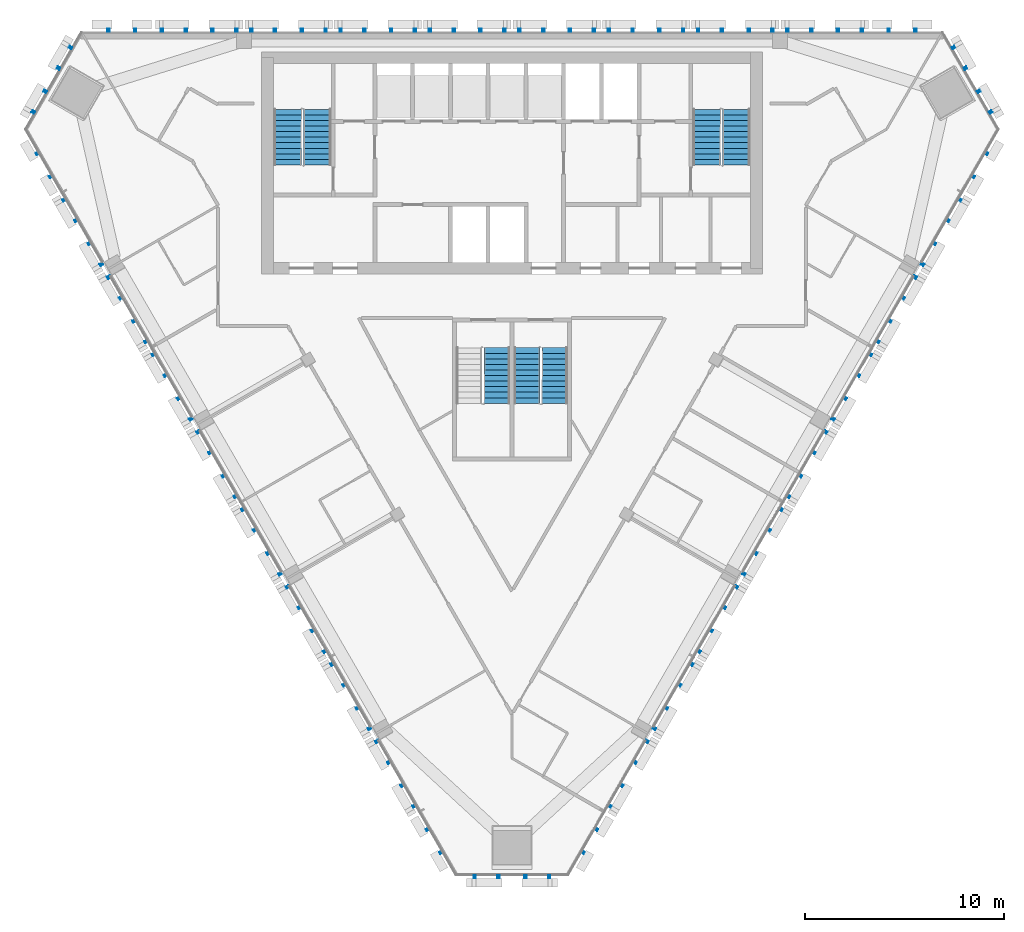
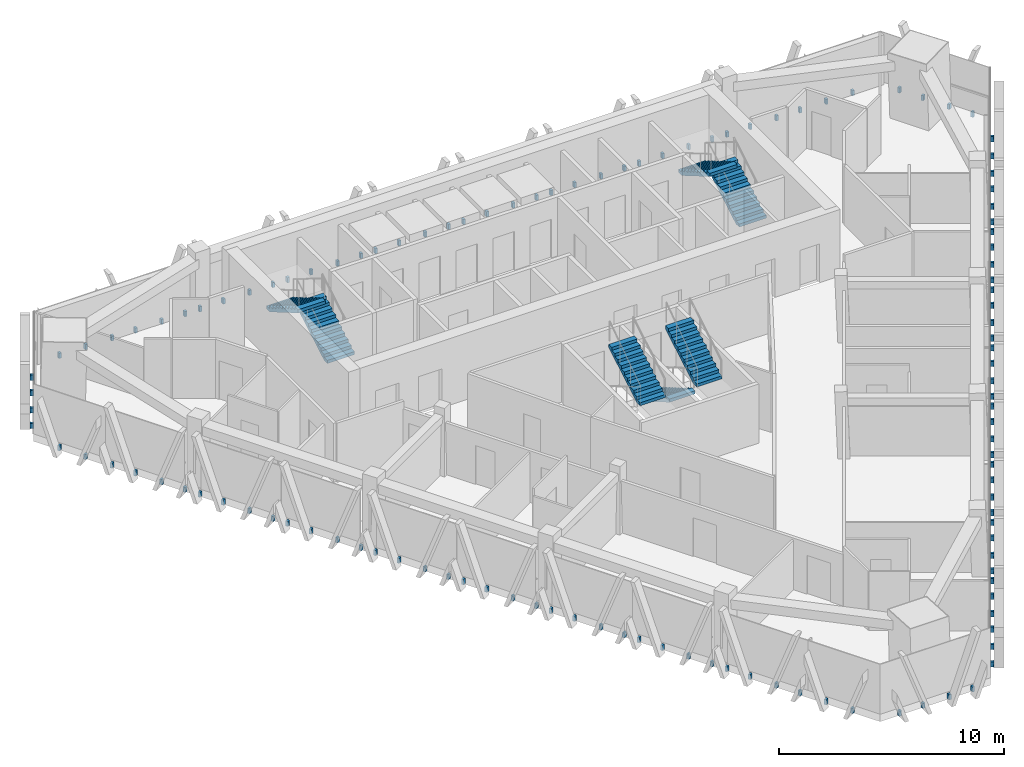
# One storey, part 11 of 14: 7 stair flights, 6 discrete accessories, 4 elements without a shape of their own.
"""IFC4 building model written with IfcOpenShell, lengths in metres."""

from ifc_helpers import new_model, si_unit, direction, frame, origin, place, context, subcontext, project, spatial, polyline, outline, extrude, source, transform, mapped, material, type_object, element, aggregate, save


model = new_model("IFC4")

# Units and contexts
model_context = context("Model", 3, precision=1e-05, world=origin(), true_north=direction((0.0, 1.0)))
body_context = subcontext(model_context, "Body", "Model", "MODEL_VIEW")
ifc_project = project(units=[si_unit("LENGTHUNIT", "METRE"), si_unit("AREAUNIT", "SQUARE_METRE"), si_unit("VOLUMEUNIT", "CUBIC_METRE"), si_unit("PLANEANGLEUNIT", "RADIAN"), si_unit("MASSUNIT", "GRAM", prefix="KILO")], contexts=[model_context])

# Site, building, storey
site_placement = place(None, origin())
site = spatial("IfcSite", under=ifc_project, at=site_placement, CompositionType="ELEMENT")
building_placement = place(site_placement, origin())
building = spatial("IfcBuilding", under=site, at=building_placement, Name="Altiplano Prism Tower", CompositionType="ELEMENT")
storey_placement = place(building_placement, frame((0.0, 0.0, 230.199951171875)))
storey = spatial("IfcBuildingStorey", under=building, at=storey_placement, Name="L59", CompositionType="ELEMENT", Elevation=230.199951171875)

# Stair, stair flights
ifc_material_1 = material(Name="Concrete C40/50", Category="concrete")
stair_type_1 = type_object("IfcStairType", Name="Exit stair 1400", PredefinedType="HALF_TURN_STAIR", material=ifc_material_1)
stair_1_placement = place(storey_placement, origin())
stair_1 = element("IfcStair", 1, at=stair_1_placement, inside=storey, type_object=stair_type_1, Name="L59 Exit Stair 1", PredefinedType="HALF_TURN_STAIR")
stair_flight_type = type_object("IfcStairFlightType", Name="Stair flight concrete 150", PredefinedType="STRAIGHT", material=ifc_material_1)
stair_flight_1_placement = place(storey_placement, frame((75.199951171875, 98.300048828125, 0.0), z_axis=(0.0, 0.0, 1.0), x_axis=(0.0, 1.0, 0.0)))
stair_flight_1 = element("IfcStairFlight", 2, at=stair_flight_1_placement, type_object=stair_flight_type, Name="ST1 flight 1", NumberOfRisers=11, NumberOfTreads=10, PredefinedType="STRAIGHT", RiserHeight=0.163636364, TreadLength=0.28, context=body_context, shape_type="SweptSolid", body=[
    extrude(outline(polyline([(0.0, 0.0), (0.0, 0.16357421875), (0.280029296875, 0.16357421875), (0.280029296875, 0.327392578125), (0.56005859375, 0.327392578125), (0.56005859375, 0.490966796875), (0.840087890625, 0.490966796875), (0.840087890625, 0.654541015625), (1.1201171875, 0.654541015625), (1.1201171875, 0.818115234375), (1.39990234375, 0.818115234375), (1.39990234375, 0.98193359375), (1.679931640625, 0.98193359375), (1.679931640625, 1.1455078125), (1.9599609375, 1.1455078125), (1.9599609375, 1.30908203125), (2.239990234375, 1.30908203125), (2.239990234375, 1.47265625), (2.52001953125, 1.47265625), (2.52001953125, 1.636474609375), (2.800048828125, 1.636474609375), (2.800048828125, 1.800048828125), (2.800048828125, 1.462646484375), (0.297119140625, 0.0), (0.0, 0.0)])), frame((0.0, 0.699951171875, 0.0), z_axis=(0.0, -1.0, 0.0), x_axis=(1.0, 0.0, 0.0)), (0.0, 0.0, 1.0), 1.39990234375),
])
stair_flight_2_placement = place(storey_placement, frame((73.699951171875, 101.10009765625, 1.800048828125), z_axis=(0.0, 0.0, 1.0), x_axis=(0.0, -1.0, 0.0)))
stair_flight_2 = element("IfcStairFlight", 3, at=stair_flight_2_placement, type_object=stair_flight_type, Name="ST1 flight 2", NumberOfRisers=11, NumberOfTreads=10, PredefinedType="STRAIGHT", RiserHeight=0.163636364, TreadLength=0.28, context=body_context, shape_type="SweptSolid", body=[
    extrude(outline(polyline([(0.0, 0.0), (0.0, 0.16357421875), (0.280029296875, 0.16357421875), (0.280029296875, 0.327392578125), (0.56005859375, 0.327392578125), (0.56005859375, 0.490966796875), (0.840087890625, 0.490966796875), (0.840087890625, 0.654541015625), (1.1201171875, 0.654541015625), (1.1201171875, 0.818115234375), (1.39990234375, 0.818115234375), (1.39990234375, 0.98193359375), (1.679931640625, 0.98193359375), (1.679931640625, 1.1455078125), (1.9599609375, 1.1455078125), (1.9599609375, 1.30908203125), (2.239990234375, 1.30908203125), (2.239990234375, 1.47265625), (2.52001953125, 1.47265625), (2.52001953125, 1.636474609375), (2.800048828125, 1.636474609375), (2.800048828125, 1.800048828125), (2.800048828125, 1.462646484375), (0.297119140625, 0.0), (0.0, 0.0)])), frame((0.0, 0.699951171875, 0.0), z_axis=(0.0, -1.0, 0.0), x_axis=(1.0, 0.0, 0.0)), (0.0, 0.0, 1.0), 1.39990234375),
])
aggregate(stair_1, [stair_flight_1, stair_flight_2])

stair_2_placement = place(storey_placement, origin())
stair_2 = element("IfcStair", 4, at=stair_2_placement, inside=storey, type_object=stair_type_1, Name="L59 Exit Stair 2", PredefinedType="HALF_TURN_STAIR")
stair_flight_3_placement = place(storey_placement, frame((96.300048828125, 98.300048828125, 0.0), z_axis=(0.0, 0.0, 1.0), x_axis=(0.0, 1.0, 0.0)))
stair_flight_3 = element("IfcStairFlight", 5, at=stair_flight_3_placement, type_object=stair_flight_type, Name="ST2 flight 1", NumberOfRisers=11, NumberOfTreads=10, PredefinedType="STRAIGHT", RiserHeight=0.163636364, TreadLength=0.28, context=body_context, shape_type="SweptSolid", body=[
    extrude(outline(polyline([(0.0, 0.0), (0.0, 0.16357421875), (0.280029296875, 0.16357421875), (0.280029296875, 0.327392578125), (0.56005859375, 0.327392578125), (0.56005859375, 0.490966796875), (0.840087890625, 0.490966796875), (0.840087890625, 0.654541015625), (1.1201171875, 0.654541015625), (1.1201171875, 0.818115234375), (1.39990234375, 0.818115234375), (1.39990234375, 0.98193359375), (1.679931640625, 0.98193359375), (1.679931640625, 1.1455078125), (1.9599609375, 1.1455078125), (1.9599609375, 1.30908203125), (2.239990234375, 1.30908203125), (2.239990234375, 1.47265625), (2.52001953125, 1.47265625), (2.52001953125, 1.636474609375), (2.800048828125, 1.636474609375), (2.800048828125, 1.800048828125), (2.800048828125, 1.462646484375), (0.297119140625, 0.0), (0.0, 0.0)])), frame((0.0, 0.699951171875, 0.0), z_axis=(0.0, -1.0, 0.0), x_axis=(1.0, 0.0, 0.0)), (0.0, 0.0, 1.0), 1.39990234375),
])
stair_flight_4_placement = place(storey_placement, frame((94.800048828125, 101.10009765625, 1.800048828125), z_axis=(0.0, 0.0, 1.0), x_axis=(0.0, -1.0, 0.0)))
stair_flight_4 = element("IfcStairFlight", 6, at=stair_flight_4_placement, type_object=stair_flight_type, Name="ST2 flight 2", NumberOfRisers=11, NumberOfTreads=10, PredefinedType="STRAIGHT", RiserHeight=0.163636364, TreadLength=0.28, context=body_context, shape_type="SweptSolid", body=[
    extrude(outline(polyline([(0.0, 0.0), (0.0, 0.16357421875), (0.280029296875, 0.16357421875), (0.280029296875, 0.327392578125), (0.56005859375, 0.327392578125), (0.56005859375, 0.490966796875), (0.840087890625, 0.490966796875), (0.840087890625, 0.654541015625), (1.1201171875, 0.654541015625), (1.1201171875, 0.818115234375), (1.39990234375, 0.818115234375), (1.39990234375, 0.98193359375), (1.679931640625, 0.98193359375), (1.679931640625, 1.1455078125), (1.9599609375, 1.1455078125), (1.9599609375, 1.30908203125), (2.239990234375, 1.30908203125), (2.239990234375, 1.47265625), (2.52001953125, 1.47265625), (2.52001953125, 1.636474609375), (2.800048828125, 1.636474609375), (2.800048828125, 1.800048828125), (2.800048828125, 1.462646484375), (0.297119140625, 0.0), (0.0, 0.0)])), frame((0.0, 0.699951171875, 0.0), z_axis=(0.0, -1.0, 0.0), x_axis=(1.0, 0.0, 0.0)), (0.0, 0.0, 1.0), 1.39990234375),
])
aggregate(stair_2, [stair_flight_3, stair_flight_4])

# Stair, stair flight
stair_type_2 = type_object("IfcStairType", Name="Exit stair 1300", PredefinedType="HALF_TURN_STAIR", material=ifc_material_1)
stair_3_placement = place(storey_placement, origin())
stair_3 = element("IfcStair", 7, at=stair_3_placement, inside=storey, type_object=stair_type_2, Name="L59 Exit Stair 3A", PredefinedType="HALF_TURN_STAIR")
stair_flight_5_placement = place(storey_placement, frame((84.25, 86.300048828125, 1.800048828125), z_axis=(0.0, 0.0, 1.0), x_axis=(0.0, 1.0, 0.0)))
stair_flight_5 = element("IfcStairFlight", 8, at=stair_flight_5_placement, type_object=stair_flight_type, Name="ST3A flight 2", NumberOfRisers=11, NumberOfTreads=10, PredefinedType="STRAIGHT", RiserHeight=0.163636364, TreadLength=0.28, context=body_context, shape_type="SweptSolid", body=[
    extrude(outline(polyline([(0.0, 0.0), (0.0, 0.16357421875), (0.280029296875, 0.16357421875), (0.280029296875, 0.327392578125), (0.56005859375, 0.327392578125), (0.56005859375, 0.490966796875), (0.840087890625, 0.490966796875), (0.840087890625, 0.654541015625), (1.1201171875, 0.654541015625), (1.1201171875, 0.818115234375), (1.39990234375, 0.818115234375), (1.39990234375, 0.98193359375), (1.679931640625, 0.98193359375), (1.679931640625, 1.1455078125), (1.9599609375, 1.1455078125), (1.9599609375, 1.30908203125), (2.239990234375, 1.30908203125), (2.239990234375, 1.47265625), (2.52001953125, 1.47265625), (2.52001953125, 1.636474609375), (2.800048828125, 1.636474609375), (2.800048828125, 1.800048828125), (2.800048828125, 1.462646484375), (0.297119140625, 0.0), (0.0, 0.0)])), frame((0.0, 0.64990234375, 0.0), z_axis=(0.0, -1.0, 0.0), x_axis=(1.0, 0.0, 0.0)), (0.0, 0.0, 1.0), 1.300048828125),
])
aggregate(stair_3, [stair_flight_5])

# Stair, stair flights
stair_4_placement = place(storey_placement, origin())
stair_4 = element("IfcStair", 9, at=stair_4_placement, inside=storey, type_object=stair_type_2, Name="L59 Exit Stair 3B", PredefinedType="HALF_TURN_STAIR")
stair_flight_6_placement = place(storey_placement, frame((85.75, 89.10009765625, 0.0), z_axis=(0.0, 0.0, 1.0), x_axis=(0.0, -1.0, 0.0)))
stair_flight_6 = element("IfcStairFlight", 10, at=stair_flight_6_placement, type_object=stair_flight_type, Name="ST3B flight 1", NumberOfRisers=11, NumberOfTreads=10, PredefinedType="STRAIGHT", RiserHeight=0.163636364, TreadLength=0.28, context=body_context, shape_type="SweptSolid", body=[
    extrude(outline(polyline([(0.0, 0.0), (0.0, 0.16357421875), (0.280029296875, 0.16357421875), (0.280029296875, 0.327392578125), (0.56005859375, 0.327392578125), (0.56005859375, 0.490966796875), (0.840087890625, 0.490966796875), (0.840087890625, 0.654541015625), (1.1201171875, 0.654541015625), (1.1201171875, 0.818115234375), (1.39990234375, 0.818115234375), (1.39990234375, 0.98193359375), (1.679931640625, 0.98193359375), (1.679931640625, 1.1455078125), (1.9599609375, 1.1455078125), (1.9599609375, 1.30908203125), (2.239990234375, 1.30908203125), (2.239990234375, 1.47265625), (2.52001953125, 1.47265625), (2.52001953125, 1.636474609375), (2.800048828125, 1.636474609375), (2.800048828125, 1.800048828125), (2.800048828125, 1.462646484375), (0.297119140625, 0.0), (0.0, 0.0)])), frame((0.0, 0.64990234375, 0.0), z_axis=(0.0, -1.0, 0.0), x_axis=(1.0, 0.0, 0.0)), (0.0, 0.0, 1.0), 1.300048828125),
])
stair_flight_7_placement = place(storey_placement, frame((87.14990234375, 86.300048828125, 1.800048828125), z_axis=(0.0, 0.0, 1.0), x_axis=(0.0, 1.0, 0.0)))
stair_flight_7 = element("IfcStairFlight", 11, at=stair_flight_7_placement, type_object=stair_flight_type, Name="ST3B flight 2", NumberOfRisers=11, NumberOfTreads=10, PredefinedType="STRAIGHT", RiserHeight=0.163636364, TreadLength=0.28, context=body_context, shape_type="SweptSolid", body=[
    extrude(outline(polyline([(0.0, 0.0), (0.0, 0.16357421875), (0.280029296875, 0.16357421875), (0.280029296875, 0.327392578125), (0.56005859375, 0.327392578125), (0.56005859375, 0.490966796875), (0.840087890625, 0.490966796875), (0.840087890625, 0.654541015625), (1.1201171875, 0.654541015625), (1.1201171875, 0.818115234375), (1.39990234375, 0.818115234375), (1.39990234375, 0.98193359375), (1.679931640625, 0.98193359375), (1.679931640625, 1.1455078125), (1.9599609375, 1.1455078125), (1.9599609375, 1.30908203125), (2.239990234375, 1.30908203125), (2.239990234375, 1.47265625), (2.52001953125, 1.47265625), (2.52001953125, 1.636474609375), (2.800048828125, 1.636474609375), (2.800048828125, 1.800048828125), (2.800048828125, 1.462646484375), (0.297119140625, 0.0), (0.0, 0.0)])), frame((0.0, 0.64990234375, 0.0), z_axis=(0.0, -1.0, 0.0), x_axis=(1.0, 0.0, 0.0)), (0.0, 0.0, 1.0), 1.300048828125),
])
aggregate(stair_4, [stair_flight_6, stair_flight_7])

# Discrete accessories
ifc_material_2 = material(Name="Stainless steel", Category="steel")
discrete_accessory_type = type_object("IfcDiscreteAccessoryType", Name="Stone fin fixing prongs", PredefinedType="USERDEFINED", material=ifc_material_2)
shared_shape_1 = source(origin(), body_context, "Body", "SweptSolid", [
    extrude(outline(polyline([(-0.73291015625, 0.06005859375), (-0.61279296875, 0.06005859375), (-0.61279296875, 0.340087890625), (-0.73291015625, 0.340087890625), (-0.73291015625, 0.06005859375)])), frame((0.0, 0.0, 0.0), z_axis=(0.0, -1.0, 0.0), x_axis=(1.0, 0.0, 0.0)), (0.0, 0.0, 1.0), 0.14990234375),
    extrude(outline(polyline([(0.61279296875, 0.06005859375), (0.73291015625, 0.06005859375), (0.73291015625, 0.340087890625), (0.61279296875, 0.340087890625), (0.61279296875, 0.06005859375)])), frame((0.0, 0.0, 0.0), z_axis=(0.0, -1.0, 0.0), x_axis=(1.0, 0.0, 0.0)), (0.0, 0.0, 1.0), 0.14990234375),
])
shared_shape_2 = source(origin(), body_context, "Body", "SweptSolid", [
    extrude(outline(polyline([(-1.932861328125, 0.06005859375), (-1.812744140625, 0.06005859375), (-1.812744140625, 0.340087890625), (-1.932861328125, 0.340087890625), (-1.932861328125, 0.06005859375)])), frame((0.0, 0.0, 0.0), z_axis=(0.0, -1.0, 0.0), x_axis=(1.0, 0.0, 0.0)), (0.0, 0.0, 1.0), 0.14990234375),
    extrude(outline(polyline([(-0.73291015625, 0.06005859375), (-0.61279296875, 0.06005859375), (-0.61279296875, 0.340087890625), (-0.73291015625, 0.340087890625), (-0.73291015625, 0.06005859375)])), frame((0.0, 0.0, 0.0), z_axis=(0.0, -1.0, 0.0), x_axis=(1.0, 0.0, 0.0)), (0.0, 0.0, 1.0), 0.14990234375),
    extrude(outline(polyline([(0.61279296875, 0.06005859375), (0.73291015625, 0.06005859375), (0.73291015625, 0.340087890625), (0.61279296875, 0.340087890625), (0.61279296875, 0.06005859375)])), frame((0.0, 0.0, 0.0), z_axis=(0.0, -1.0, 0.0), x_axis=(1.0, 0.0, 0.0)), (0.0, 0.0, 1.0), 0.14990234375),
    extrude(outline(polyline([(1.812744140625, 0.06005859375), (1.932861328125, 0.06005859375), (1.932861328125, 0.340087890625), (1.812744140625, 0.340087890625), (1.812744140625, 0.06005859375)])), frame((0.0, 0.0, 0.0), z_axis=(0.0, -1.0, 0.0), x_axis=(1.0, 0.0, 0.0)), (0.0, 0.0, 1.0), 0.14990234375),
])
discrete_accessory_1_placement = place(storey_placement, origin())
element("IfcDiscreteAccessory", 12, at=discrete_accessory_1_placement, inside=storey, type_object=discrete_accessory_type, Name="Fin fixings L59 north face", ObjectType="BRACKET", PredefinedType="USERDEFINED", context=body_context, shape_type="MappedRepresentation", body=[
    mapped(shared_shape_1, transform((104.643798828125, 105.0, -0.39990234375), x_axis=(-1.0, 0.0, 0.0), y_axis=(0.0, -1.0, 0.0), z_axis=(0.0, 0.0, 1.0))),
    mapped(shared_shape_2, transform((100.75, 105.0, -0.39990234375), x_axis=(-1.0, 0.0, 0.0), y_axis=(0.0, -1.0, 0.0), z_axis=(0.0, 0.0, 1.0))),
    mapped(shared_shape_2, transform((96.25, 105.0, -0.39990234375), x_axis=(-1.0, 0.0, 0.0), y_axis=(0.0, -1.0, 0.0), z_axis=(0.0, 0.0, 1.0))),
    mapped(shared_shape_2, transform((91.75, 105.0, -0.39990234375), x_axis=(-1.0, 0.0, 0.0), y_axis=(0.0, -1.0, 0.0), z_axis=(0.0, 0.0, 1.0))),
    mapped(shared_shape_2, transform((87.25, 105.0, -0.39990234375), x_axis=(-1.0, 0.0, 0.0), y_axis=(0.0, -1.0, 0.0), z_axis=(0.0, 0.0, 1.0))),
    mapped(shared_shape_2, transform((82.75, 105.0, -0.39990234375), x_axis=(-1.0, 0.0, 0.0), y_axis=(0.0, -1.0, 0.0), z_axis=(0.0, 0.0, 1.0))),
    mapped(shared_shape_2, transform((78.25, 105.0, -0.39990234375), x_axis=(-1.0, 0.0, 0.0), y_axis=(0.0, -1.0, 0.0), z_axis=(0.0, 0.0, 1.0))),
    mapped(shared_shape_2, transform((73.75, 105.0, -0.39990234375), x_axis=(-1.0, 0.0, 0.0), y_axis=(0.0, -1.0, 0.0), z_axis=(0.0, 0.0, 1.0))),
    mapped(shared_shape_2, transform((69.25, 105.0, -0.39990234375), x_axis=(-1.0, 0.0, 0.0), y_axis=(0.0, -1.0, 0.0), z_axis=(0.0, 0.0, 1.0))),
    mapped(shared_shape_1, transform((65.356201171875, 105.0, -0.39990234375), x_axis=(-1.0, 0.0, 0.0), y_axis=(0.0, -1.0, 0.0), z_axis=(0.0, 0.0, 1.0))),
])
discrete_accessory_2_placement = place(storey_placement, origin())
element("IfcDiscreteAccessory", 13, at=discrete_accessory_2_placement, inside=storey, type_object=discrete_accessory_type, Name="Fin fixings L59 south-west face", ObjectType="BRACKET", PredefinedType="USERDEFINED", context=body_context, shape_type="MappedRepresentation", body=[
    mapped(shared_shape_1, transform((61.506591796875, 98.332275390625, -0.39990234375), x_axis=(0.500000005706, -0.86602540049, 0.0), y_axis=(0.86602540049, 0.500000005706, 0.0), z_axis=(0.0, 0.0, 1.0))),
    mapped(shared_shape_2, transform((63.453369140625, 94.9599609375, -0.39990234375), x_axis=(0.500000005706, -0.86602540049, 0.0), y_axis=(0.86602540049, 0.500000005706, 0.0), z_axis=(0.0, 0.0, 1.0))),
    mapped(shared_shape_2, transform((65.703369140625, 91.06298828125, -0.39990234375), x_axis=(0.500000005706, -0.86602540049, 0.0), y_axis=(0.86602540049, 0.500000005706, 0.0), z_axis=(0.0, 0.0, 1.0))),
    mapped(shared_shape_2, transform((67.953369140625, 87.165771484375, -0.39990234375), x_axis=(0.500000005706, -0.86602540049, 0.0), y_axis=(0.86602540049, 0.500000005706, 0.0), z_axis=(0.0, 0.0, 1.0))),
    mapped(shared_shape_2, transform((70.203369140625, 83.268798828125, -0.39990234375), x_axis=(0.500000005706, -0.86602540049, 0.0), y_axis=(0.86602540049, 0.500000005706, 0.0), z_axis=(0.0, 0.0, 1.0))),
    mapped(shared_shape_2, transform((72.453369140625, 79.37158203125, -0.39990234375), x_axis=(0.500000005706, -0.86602540049, 0.0), y_axis=(0.86602540049, 0.500000005706, 0.0), z_axis=(0.0, 0.0, 1.0))),
    mapped(shared_shape_2, transform((74.703369140625, 75.474365234375, -0.39990234375), x_axis=(0.500000005706, -0.86602540049, 0.0), y_axis=(0.86602540049, 0.500000005706, 0.0), z_axis=(0.0, 0.0, 1.0))),
    mapped(shared_shape_2, transform((76.953369140625, 71.577392578125, -0.39990234375), x_axis=(0.500000005706, -0.86602540049, 0.0), y_axis=(0.86602540049, 0.500000005706, 0.0), z_axis=(0.0, 0.0, 1.0))),
    mapped(shared_shape_2, transform((79.203369140625, 67.68017578125, -0.39990234375), x_axis=(0.500000005706, -0.86602540049, 0.0), y_axis=(0.86602540049, 0.500000005706, 0.0), z_axis=(0.0, 0.0, 1.0))),
    mapped(shared_shape_1, transform((81.150390625, 64.30810546875, -0.39990234375), x_axis=(0.500000005706, -0.86602540049, 0.0), y_axis=(0.86602540049, 0.500000005706, 0.0), z_axis=(0.0, 0.0, 1.0))),
])
discrete_accessory_3_placement = place(storey_placement, origin())
element("IfcDiscreteAccessory", 14, at=discrete_accessory_3_placement, inside=storey, type_object=discrete_accessory_type, Name="Fin fixings L59 south-east face", ObjectType="BRACKET", PredefinedType="USERDEFINED", context=body_context, shape_type="MappedRepresentation", body=[
    mapped(shared_shape_1, transform((88.849609375, 64.30810546875, -0.39990234375), x_axis=(0.500000005706, 0.86602540049, 0.0), y_axis=(-0.86602540049, 0.500000005706, 0.0), z_axis=(0.0, 0.0, 1.0))),
    mapped(shared_shape_2, transform((90.796630859375, 67.68017578125, -0.39990234375), x_axis=(0.500000005706, 0.86602540049, 0.0), y_axis=(-0.86602540049, 0.500000005706, 0.0), z_axis=(0.0, 0.0, 1.0))),
    mapped(shared_shape_2, transform((93.046630859375, 71.577392578125, -0.39990234375), x_axis=(0.500000005706, 0.86602540049, 0.0), y_axis=(-0.86602540049, 0.500000005706, 0.0), z_axis=(0.0, 0.0, 1.0))),
    mapped(shared_shape_2, transform((95.296630859375, 75.474365234375, -0.39990234375), x_axis=(0.500000005706, 0.86602540049, 0.0), y_axis=(-0.86602540049, 0.500000005706, 0.0), z_axis=(0.0, 0.0, 1.0))),
    mapped(shared_shape_2, transform((97.546630859375, 79.37158203125, -0.39990234375), x_axis=(0.500000005706, 0.86602540049, 0.0), y_axis=(-0.86602540049, 0.500000005706, 0.0), z_axis=(0.0, 0.0, 1.0))),
    mapped(shared_shape_2, transform((99.796630859375, 83.268798828125, -0.39990234375), x_axis=(0.500000005706, 0.86602540049, 0.0), y_axis=(-0.86602540049, 0.500000005706, 0.0), z_axis=(0.0, 0.0, 1.0))),
    mapped(shared_shape_2, transform((102.046630859375, 87.165771484375, -0.39990234375), x_axis=(0.500000005706, 0.86602540049, 0.0), y_axis=(-0.86602540049, 0.500000005706, 0.0), z_axis=(0.0, 0.0, 1.0))),
    mapped(shared_shape_2, transform((104.296630859375, 91.06298828125, -0.39990234375), x_axis=(0.500000005706, 0.86602540049, 0.0), y_axis=(-0.86602540049, 0.500000005706, 0.0), z_axis=(0.0, 0.0, 1.0))),
    mapped(shared_shape_2, transform((106.546630859375, 94.9599609375, -0.39990234375), x_axis=(0.500000005706, 0.86602540049, 0.0), y_axis=(-0.86602540049, 0.500000005706, 0.0), z_axis=(0.0, 0.0, 1.0))),
    mapped(shared_shape_1, transform((108.493408203125, 98.332275390625, -0.39990234375), x_axis=(0.500000005706, 0.86602540049, 0.0), y_axis=(-0.86602540049, 0.500000005706, 0.0), z_axis=(0.0, 0.0, 1.0))),
])
shared_shape_3 = source(origin(), body_context, "Body", "SweptSolid", [
    extrude(outline(polyline([(-1.932861328125, 0.06005859375), (-1.812744140625, 0.06005859375), (-1.812744140625, 0.340087890625), (-1.932861328125, 0.340087890625), (-1.932861328125, 0.06005859375)])), frame((0.0, 0.0, 0.0), z_axis=(0.0, -1.0, 0.0), x_axis=(1.0, 0.0, 0.0)), (0.0, 0.0, 1.0), 0.14990234375),
    extrude(outline(polyline([(-0.73291015625, 0.06005859375), (-0.61279296875, 0.06005859375), (-0.61279296875, 0.340087890625), (-0.73291015625, 0.340087890625), (-0.73291015625, 0.06005859375)])), frame((0.0, 0.0, 0.0), z_axis=(0.0, -1.0, 0.0), x_axis=(1.0, 0.0, 0.0)), (0.0, 0.0, 1.0), 0.14990234375),
    extrude(outline(polyline([(0.61279296875, 0.06005859375), (0.73291015625, 0.06005859375), (0.73291015625, 0.340087890625), (0.61279296875, 0.340087890625), (0.61279296875, 0.06005859375)])), frame((0.0, 0.0, 0.0), z_axis=(0.0, -1.0, 0.0), x_axis=(1.0, 0.0, 0.0)), (0.0, 0.0, 1.0), 0.14990234375),
    extrude(outline(polyline([(1.812744140625, 0.06005859375), (1.932861328125, 0.06005859375), (1.932861328125, 0.340087890625), (1.812744140625, 0.340087890625), (1.812744140625, 0.06005859375)])), frame((0.0, 0.0, 0.0), z_axis=(0.0, -1.0, 0.0), x_axis=(1.0, 0.0, 0.0)), (0.0, 0.0, 1.0), 0.14990234375),
])
discrete_accessory_4_placement = place(storey_placement, origin())
element("IfcDiscreteAccessory", 15, at=discrete_accessory_4_placement, inside=storey, type_object=discrete_accessory_type, Name="Fin fixings L59 north-west chamfer", ObjectType="BRACKET", PredefinedType="USERDEFINED", context=body_context, shape_type="MappedRepresentation", body=[
    mapped(shared_shape_3, transform((61.8984375, 102.551025390625, -0.39990234375), x_axis=(-0.499999996791, -0.866025405637, 0.0), y_axis=(0.866025405637, -0.499999996791, 0.0), z_axis=(0.0, 0.0, 1.0))),
])
discrete_accessory_5_placement = place(storey_placement, origin())
element("IfcDiscreteAccessory", 16, at=discrete_accessory_5_placement, inside=storey, type_object=discrete_accessory_type, Name="Fin fixings L59 south chamfer", ObjectType="BRACKET", PredefinedType="USERDEFINED", context=body_context, shape_type="MappedRepresentation", body=[
    mapped(shared_shape_3, transform((85.0, 62.5380859375, -0.39990234375), x_axis=(1.0, 0.0, 0.0), y_axis=(0.0, 1.0, 0.0), z_axis=(0.0, 0.0, 1.0))),
])
discrete_accessory_6_placement = place(storey_placement, origin())
element("IfcDiscreteAccessory", 17, at=discrete_accessory_6_placement, inside=storey, type_object=discrete_accessory_type, Name="Fin fixings L59 north-east chamfer", ObjectType="BRACKET", PredefinedType="USERDEFINED", context=body_context, shape_type="MappedRepresentation", body=[
    mapped(shared_shape_3, transform((108.1015625, 102.551025390625, -0.39990234375), x_axis=(-0.499999996791, 0.866025405637, 0.0), y_axis=(-0.866025405637, -0.499999996791, 0.0), z_axis=(0.0, 0.0, 1.0))),
])

save(model, "model.ifc")
